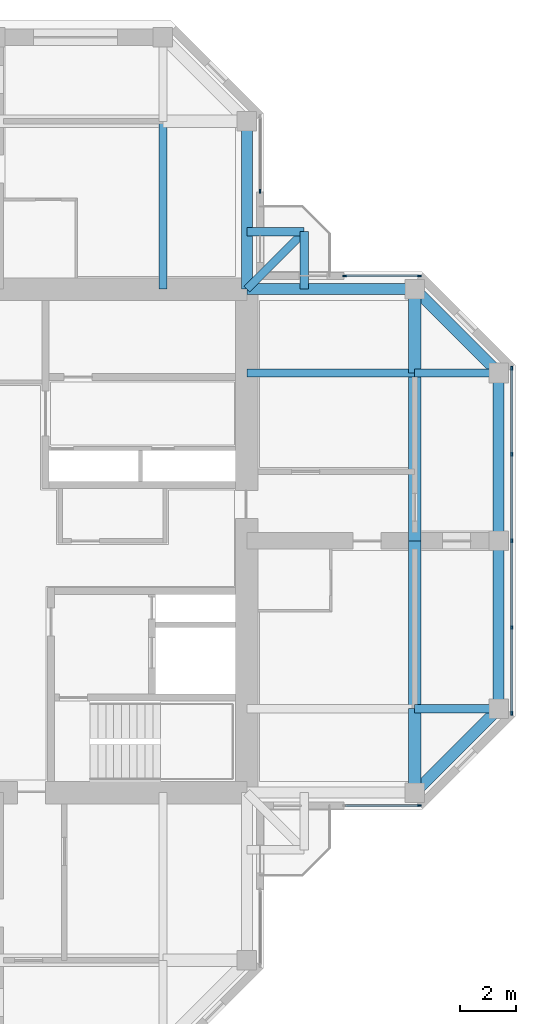
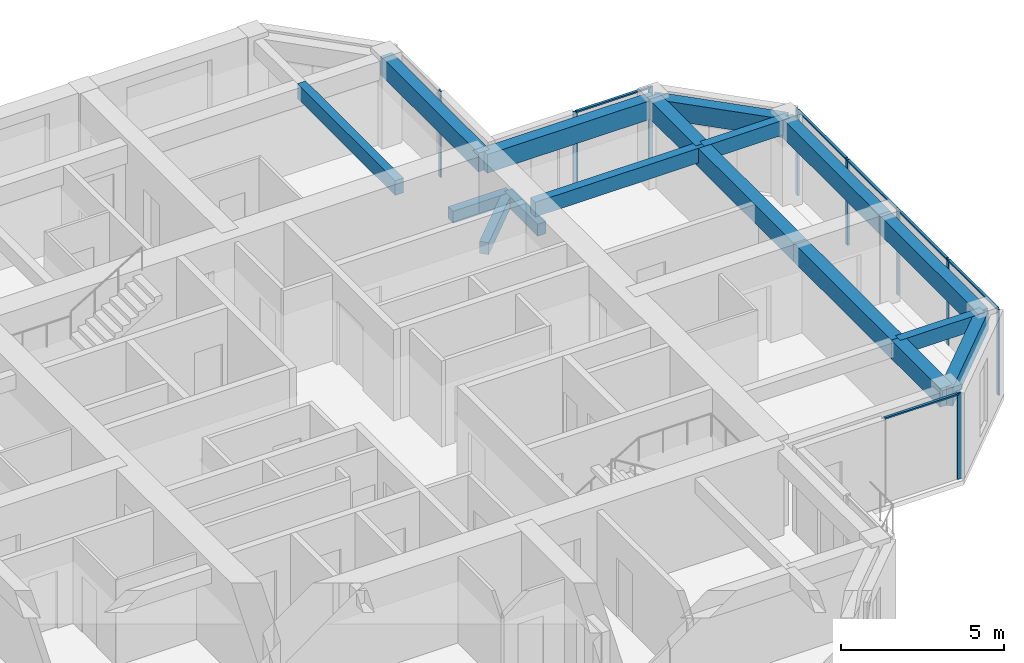
# One storey, part 5 of 13: 17 beams, 15 members, 4 elements without a shape of their own.
"""IFC4 building model written with IfcOpenShell, lengths in metres."""

from ifc_helpers import new_model, si_unit, direction, frame, origin, origin_2d, place, context, subcontext, project, spatial, rectangle, extrude, material, material_profile, profile_set, type_object, element, aggregate, save


model = new_model("IFC4")

# Units and contexts
model_context = context("Model", 3, precision=1e-05, world=origin(), true_north=direction((0.0, 1.0)))
body_context = subcontext(model_context, "Body", "Model", "MODEL_VIEW")
ifc_project = project(units=[si_unit("LENGTHUNIT", "METRE"), si_unit("AREAUNIT", "SQUARE_METRE"), si_unit("VOLUMEUNIT", "CUBIC_METRE"), si_unit("PLANEANGLEUNIT", "RADIAN"), si_unit("MASSUNIT", "GRAM", prefix="KILO")], contexts=[model_context])

# Site, building, storey
site_placement = place(None, origin())
site = spatial("IfcSite", under=ifc_project, at=site_placement, CompositionType="ELEMENT")
building_placement = place(site_placement, origin())
building = spatial("IfcBuilding", under=site, at=building_placement, Name="Torre Cruceta", CompositionType="ELEMENT")
storey_placement = place(building_placement, frame((0.0, 0.0, 274.699951171875)))
storey = spatial("IfcBuildingStorey", under=building, at=storey_placement, Name="L71", CompositionType="ELEMENT", Elevation=274.699951171875)

# Beams
ifc_material_1 = material(Name="Concrete G60 (fck 60 MPa)", Category="concrete")
ifc_material_profile_1 = material_profile(ifc_material_1, rectangle(XDim=0.300048828125, YDim=0.449951171875, at=origin_2d()), Name="RC 300X450")
ifc_profile_set_1 = profile_set([ifc_material_profile_1], Name="Concrete G60 (fck 60 MPa)")
beam_type_1 = type_object("IfcBeamType", Name="BALCONY CANTILEVER BEAM RC 300X450", PredefinedType="BEAM", material=ifc_profile_set_1)
beam_1_placement = place(storey_placement, frame((9.0, 9.0, -0.405029296875), z_axis=(0.707106781187, 0.707106781187, 0.0), x_axis=(-0.707106781187, 0.707106781187, 0.0)))
element("IfcBeam", 1, at=beam_1_placement, inside=storey, type_object=beam_type_1, Name="BB1 balcony beam L71 E", PredefinedType="BEAM", context=body_context, shape_type="SweptSolid", body=[
    extrude(rectangle(XDim=0.300048828125, YDim=0.449951171875, at=origin_2d()), origin(), (0.0, 0.0, 1.0), 2.89990234375),
])
for number, where, z_axis, x_axis, name in (
    (2, (11.050537109375, 9.0, -0.405029296875), (0.0, 1.0, 0.0), (-1.0, 0.0, 0.0), "BB1 balcony edge beam L71 E-X"),
    (3, (9.0, 11.050537109375, -0.405029296875), (1.0, 0.0, 0.0), (0.0, 1.0, 0.0), "BB1 balcony edge beam L71 E-Y"),
):
    element("IfcBeam", number, at=place(storey_placement, frame(where, z_axis=z_axis, x_axis=x_axis)), inside=storey, type_object=beam_type_1, Name=name, PredefinedType="BEAM", context=body_context, shape_type="SweptSolid", body=[
        extrude(rectangle(XDim=0.300048828125, YDim=0.449951171875, at=origin_2d()), origin(), (0.0, 0.0, 1.0), 2.050537109375),
    ])
ifc_material_2 = material(Name="Concrete G60 (fck 60 MPa)", Category="concrete")
ifc_material_profile_2 = material_profile(ifc_material_2, rectangle(XDim=0.300048828125, YDim=0.550048828125, at=origin_2d()), Name="RC 300X550")
ifc_profile_set_2 = profile_set([ifc_material_profile_2], Name="Concrete G60 (fck 60 MPa)")
beam_type_2 = type_object("IfcBeamType", Name="COLUMN LINE BEAM RC 300X550", PredefinedType="BEAM", material=ifc_profile_set_2)
beam_2_placement = place(storey_placement, frame((6.0, 9.0, 2.945068359375), z_axis=(0.0, 1.0, 0.0), x_axis=(-1.0, 0.0, 0.0)))
element("IfcBeam", 4, at=beam_2_placement, inside=storey, type_object=beam_type_2, Name="LB10 L71 N col- 1", PredefinedType="BEAM", context=body_context, shape_type="SweptSolid", body=[
    extrude(rectangle(XDim=0.300048828125, YDim=0.550048828125, at=origin_2d()), origin(), (0.0, 0.0, 1.0), 6.0),
])
beam_3_placement = place(storey_placement, frame((15.0, -6.0, 2.945068359375), z_axis=(1.0, 0.0, 0.0), x_axis=(0.0, 1.0, 0.0)))
element("IfcBeam", 5, at=beam_3_placement, inside=storey, type_object=beam_type_2, Name="LB10 L71 E col- 2", PredefinedType="BEAM", context=body_context, shape_type="SweptSolid", body=[
    extrude(rectangle(XDim=0.300048828125, YDim=0.550048828125, at=origin_2d()), origin(), (0.0, 0.0, 1.0), 3.0),
])
beam_4_placement = place(storey_placement, frame((9.0, 6.0, 2.945068359375), z_axis=(1.0, 0.0, 0.0), x_axis=(0.0, 1.0, 0.0)))
element("IfcBeam", 6, at=beam_4_placement, inside=storey, type_object=beam_type_2, Name="LB10 L71 E col+ 1", PredefinedType="BEAM", context=body_context, shape_type="SweptSolid", body=[
    extrude(rectangle(XDim=0.300048828125, YDim=0.550048828125, at=origin_2d()), origin(), (0.0, 0.0, 1.0), 6.0),
])
beam_5_placement = place(storey_placement, frame((15.0, 6.0, 2.945068359375), z_axis=(1.0, 0.0, 0.0), x_axis=(0.0, 1.0, 0.0)))
element("IfcBeam", 7, at=beam_5_placement, inside=storey, type_object=beam_type_2, Name="LB10 L71 E col+ 2", PredefinedType="BEAM", context=body_context, shape_type="SweptSolid", body=[
    extrude(rectangle(XDim=0.300048828125, YDim=0.550048828125, at=origin_2d()), origin(), (0.0, 0.0, 1.0), 3.0),
])
ifc_material_3 = material(Name="Concrete G60 (fck 60 MPa)", Category="concrete")
ifc_material_profile_3 = material_profile(ifc_material_3, rectangle(XDim=0.449951171875, YDim=0.699951171875, at=origin_2d()), Name="RC 450X700")
ifc_profile_set_3 = profile_set([ifc_material_profile_3], Name="Concrete G60 (fck 60 MPa)")
beam_type_3 = type_object("IfcBeamType", Name="CROSS BEAM RC 450X700", PredefinedType="BEAM", material=ifc_profile_set_3)
beam_6_placement = place(storey_placement, frame((15.0, -9.0, 2.8701171875), z_axis=(0.0, 1.0, 0.0), x_axis=(-1.0, 0.0, 0.0)))
element("IfcBeam", 8, at=beam_6_placement, inside=storey, type_object=beam_type_3, Name="GB8 L71 E cross15 1", PredefinedType="BEAM", context=body_context, shape_type="SweptSolid", body=[
    extrude(rectangle(XDim=0.449951171875, YDim=0.699951171875, at=origin_2d()), origin(), (0.0, 0.0, 1.0), 3.0),
])
for number, where, z_axis, x_axis, name in (
    (9, (15.0, -6.0, 2.8701171875), (0.0, 1.0, 0.0), (-1.0, 0.0, 0.0), "GB8 L71 E cross15 2"),
    (10, (15.0, 0.0, 2.8701171875), (0.0, 1.0, 0.0), (-1.0, 0.0, 0.0), "GB8 L71 E cross15 3"),
):
    element("IfcBeam", number, at=place(storey_placement, frame(where, z_axis=z_axis, x_axis=x_axis)), inside=storey, type_object=beam_type_3, Name=name, PredefinedType="BEAM", context=body_context, shape_type="SweptSolid", body=[
        extrude(rectangle(XDim=0.449951171875, YDim=0.699951171875, at=origin_2d()), origin(), (0.0, 0.0, 1.0), 6.0),
    ])
beam_7_placement = place(storey_placement, frame((15.0, 6.0, 2.8701171875), z_axis=(0.0, 1.0, 0.0), x_axis=(-1.0, 0.0, 0.0)))
element("IfcBeam", 11, at=beam_7_placement, inside=storey, type_object=beam_type_3, Name="GB8 L71 E cross15 4", PredefinedType="BEAM", context=body_context, shape_type="SweptSolid", body=[
    extrude(rectangle(XDim=0.449951171875, YDim=0.699951171875, at=origin_2d()), origin(), (0.0, 0.0, 1.0), 3.0),
])

# Curtain wall, member
ifc_material_4 = material(Name="Aluminium unitised curtain wall", Category="aluminium")
curtain_wall_type = type_object("IfcCurtainWallType", Name="CURTAIN WALL CW-E CO-LIVING TOP", PredefinedType="USERDEFINED", material=ifc_material_4)
curtain_wall_1_placement = place(storey_placement, origin())
curtain_wall_1 = element("IfcCurtainWall", 12, at=curtain_wall_1_placement, inside=storey, type_object=curtain_wall_type, Name="CW-E L71 E side 00", ObjectType="UNITISED", PredefinedType="USERDEFINED")
ifc_material_5 = material(Name="Aluminium mullion", Category="aluminium")
ifc_material_profile_4 = material_profile(ifc_material_5, rectangle(XDim=0.054931640625, YDim=0.139892578125, at=origin_2d()), Name="AL 55X140")
ifc_profile_set_4 = profile_set([ifc_material_profile_4], Name="Aluminium mullion")
member_type_1 = type_object("IfcMemberType", Name="CW-E MULLION 55X140", PredefinedType="MULLION", material=ifc_profile_set_4)
member_1_placement = place(storey_placement, frame((15.167236328125, -9.469970703125, 0.0), z_axis=(0.0, 0.0, 1.0), x_axis=(0.0, 1.0, 0.0)))
member_1 = element("IfcMember", 13, at=member_1_placement, type_object=member_type_1, Name="CW-E mullion 2", PredefinedType="MULLION", context=body_context, shape_type="SweptSolid", body=[
    extrude(rectangle(XDim=0.054931640625, YDim=0.139892578125, at=origin_2d()), origin(), (0.0, 0.0, 1.0), 3.219970703125),
])

# Curtain wall, members
curtain_wall_2_placement = place(storey_placement, origin())
curtain_wall_2 = element("IfcCurtainWall", 14, at=curtain_wall_2_placement, inside=storey, type_object=curtain_wall_type, Name="CW-E L71 E tip 02", ObjectType="UNITISED", PredefinedType="USERDEFINED")
member_2_placement = place(storey_placement, frame((18.469970703125, -6.167236328125, 0.0), z_axis=(0.0, 0.0, 1.0), x_axis=(-1.0, 0.0, 0.0)))
member_2 = element("IfcMember", 15, at=member_2_placement, type_object=member_type_1, Name="CW-E mullion 1", PredefinedType="MULLION", context=body_context, shape_type="SweptSolid", body=[
    extrude(rectangle(XDim=0.054931640625, YDim=0.139892578125, at=origin_2d()), origin(), (0.0, 0.0, 1.0), 3.219970703125),
])
member_3_placement = place(storey_placement, frame((18.469970703125, -3.097412109375, 0.0), z_axis=(0.0, 0.0, 1.0), x_axis=(-1.0, 0.0, 0.0)))
member_3 = element("IfcMember", 16, at=member_3_placement, type_object=member_type_1, Name="CW-E mullion 2", PredefinedType="MULLION", context=body_context, shape_type="SweptSolid", body=[
    extrude(rectangle(XDim=0.054931640625, YDim=0.139892578125, at=origin_2d()), origin(), (0.0, 0.0, 1.0), 3.219970703125),
])
member_4_placement = place(storey_placement, frame((18.469970703125, 0.0, 0.0), z_axis=(0.0, 0.0, 1.0), x_axis=(-1.0, 0.0, 0.0)))
member_4 = element("IfcMember", 17, at=member_4_placement, type_object=member_type_1, Name="CW-E mullion 3", PredefinedType="MULLION", context=body_context, shape_type="SweptSolid", body=[
    extrude(rectangle(XDim=0.054931640625, YDim=0.139892578125, at=origin_2d()), origin(), (0.0, 0.0, 1.0), 3.219970703125),
])
member_5_placement = place(storey_placement, frame((18.469970703125, 3.097412109375, 0.0), z_axis=(0.0, 0.0, 1.0), x_axis=(-1.0, 0.0, 0.0)))
member_5 = element("IfcMember", 18, at=member_5_placement, type_object=member_type_1, Name="CW-E mullion 4", PredefinedType="MULLION", context=body_context, shape_type="SweptSolid", body=[
    extrude(rectangle(XDim=0.054931640625, YDim=0.139892578125, at=origin_2d()), origin(), (0.0, 0.0, 1.0), 3.219970703125),
])
member_6_placement = place(storey_placement, frame((18.469970703125, 6.167236328125, 0.0), z_axis=(0.0, 0.0, 1.0), x_axis=(-1.0, 0.0, 0.0)))
member_6 = element("IfcMember", 19, at=member_6_placement, type_object=member_type_1, Name="CW-E mullion 5", PredefinedType="MULLION", context=body_context, shape_type="SweptSolid", body=[
    extrude(rectangle(XDim=0.054931640625, YDim=0.139892578125, at=origin_2d()), origin(), (0.0, 0.0, 1.0), 3.219970703125),
])

curtain_wall_3_placement = place(storey_placement, origin())
curtain_wall_3 = element("IfcCurtainWall", 20, at=curtain_wall_3_placement, inside=storey, type_object=curtain_wall_type, Name="CW-E L71 E side 04", ObjectType="UNITISED", PredefinedType="USERDEFINED")
member_7_placement = place(storey_placement, frame((15.167236328125, 9.469970703125, 0.0), z_axis=(0.0, 0.0, 1.0), x_axis=(0.0, -1.0, 0.0)))
member_7 = element("IfcMember", 21, at=member_7_placement, type_object=member_type_1, Name="CW-E mullion 1", PredefinedType="MULLION", context=body_context, shape_type="SweptSolid", body=[
    extrude(rectangle(XDim=0.054931640625, YDim=0.139892578125, at=origin_2d()), origin(), (0.0, 0.0, 1.0), 3.219970703125),
])
member_8_placement = place(storey_placement, frame((12.49755859375, 9.469970703125, 0.0), z_axis=(0.0, 0.0, 1.0), x_axis=(0.0, -1.0, 0.0)))
member_8 = element("IfcMember", 22, at=member_8_placement, type_object=member_type_1, Name="CW-E mullion 2", PredefinedType="MULLION", context=body_context, shape_type="SweptSolid", body=[
    extrude(rectangle(XDim=0.054931640625, YDim=0.139892578125, at=origin_2d()), origin(), (0.0, 0.0, 1.0), 3.219970703125),
])

# Curtain wall, member
curtain_wall_4_placement = place(storey_placement, origin())
curtain_wall_4 = element("IfcCurtainWall", 23, at=curtain_wall_4_placement, inside=storey, type_object=curtain_wall_type, Name="CW-E L71 N side 05", ObjectType="UNITISED", PredefinedType="USERDEFINED")
member_9_placement = place(storey_placement, frame((9.469970703125, 12.49755859375, 0.0), z_axis=(0.0, 0.0, 1.0), x_axis=(-1.0, 0.0, 0.0)))
member_9 = element("IfcMember", 24, at=member_9_placement, type_object=member_type_1, Name="CW-E mullion 1", PredefinedType="MULLION", context=body_context, shape_type="SweptSolid", body=[
    extrude(rectangle(XDim=0.054931640625, YDim=0.139892578125, at=origin_2d()), origin(), (0.0, 0.0, 1.0), 3.219970703125),
])
aggregate(curtain_wall_4, [member_9])

# Member
ifc_material_6 = material(Name="Aluminium transom", Category="aluminium")
ifc_material_profile_5 = material_profile(ifc_material_6, rectangle(XDim=0.090087890625, YDim=0.054931640625, at=origin_2d()), Name="AL 90X55")
ifc_profile_set_5 = profile_set([ifc_material_profile_5], Name="Aluminium transom")
member_type_2 = type_object("IfcMemberType", Name="CW-E TRANSOM 55X90", PredefinedType="USERDEFINED", material=ifc_profile_set_5)
member_10_placement = place(storey_placement, frame((12.52490234375, -9.469970703125, 3.192626953125), z_axis=(1.0, 0.0, 0.0), x_axis=(0.0, 1.0, 0.0)))
member_10 = element("IfcMember", 25, at=member_10_placement, type_object=member_type_2, Name="CW-E transom 1", ObjectType="TRANSOM", PredefinedType="USERDEFINED", context=body_context, shape_type="SweptSolid", body=[
    extrude(rectangle(XDim=0.090087890625, YDim=0.054931640625, at=origin_2d()), origin(), (0.0, 0.0, 1.0), 2.61474609375),
])

aggregate(curtain_wall_1, [member_1, member_10])

member_11_placement = place(storey_placement, frame((18.469970703125, -6.1396484375, 3.192626953125), z_axis=(0.0, 1.0, 0.0), x_axis=(-1.0, 0.0, 0.0)))
member_11 = element("IfcMember", 26, at=member_11_placement, type_object=member_type_2, Name="CW-E transom 1", ObjectType="TRANSOM", PredefinedType="USERDEFINED", context=body_context, shape_type="SweptSolid", body=[
    extrude(rectangle(XDim=0.090087890625, YDim=0.054931640625, at=origin_2d()), origin(), (0.0, 0.0, 1.0), 3.014892578125),
])

member_12_placement = place(storey_placement, frame((18.469970703125, -3.06982421875, 3.192626953125), z_axis=(0.0, 1.0, 0.0), x_axis=(-1.0, 0.0, 0.0)))
member_12 = element("IfcMember", 27, at=member_12_placement, type_object=member_type_2, Name="CW-E transom 2", ObjectType="TRANSOM", PredefinedType="USERDEFINED", context=body_context, shape_type="SweptSolid", body=[
    extrude(rectangle(XDim=0.090087890625, YDim=0.054931640625, at=origin_2d()), origin(), (0.0, 0.0, 1.0), 3.042236328125),
])

member_13_placement = place(storey_placement, frame((18.469970703125, 0.027587890625, 3.192626953125), z_axis=(0.0, 1.0, 0.0), x_axis=(-1.0, 0.0, 0.0)))
member_13 = element("IfcMember", 28, at=member_13_placement, type_object=member_type_2, Name="CW-E transom 3", ObjectType="TRANSOM", PredefinedType="USERDEFINED", context=body_context, shape_type="SweptSolid", body=[
    extrude(rectangle(XDim=0.090087890625, YDim=0.054931640625, at=origin_2d()), origin(), (0.0, 0.0, 1.0), 3.042236328125),
])

member_14_placement = place(storey_placement, frame((18.469970703125, 3.124755859375, 3.192626953125), z_axis=(0.0, 1.0, 0.0), x_axis=(-1.0, 0.0, 0.0)))
member_14 = element("IfcMember", 29, at=member_14_placement, type_object=member_type_2, Name="CW-E transom 4", ObjectType="TRANSOM", PredefinedType="USERDEFINED", context=body_context, shape_type="SweptSolid", body=[
    extrude(rectangle(XDim=0.090087890625, YDim=0.054931640625, at=origin_2d()), origin(), (0.0, 0.0, 1.0), 3.014892578125),
])

aggregate(curtain_wall_2, [member_2, member_3, member_4, member_5, member_6, member_11, member_12, member_13, member_14])

member_15_placement = place(storey_placement, frame((15.1396484375, 9.469970703125, 3.192626953125), z_axis=(-1.0, 0.0, 0.0), x_axis=(0.0, -1.0, 0.0)))
member_15 = element("IfcMember", 30, at=member_15_placement, type_object=member_type_2, Name="CW-E transom 1", ObjectType="TRANSOM", PredefinedType="USERDEFINED", context=body_context, shape_type="SweptSolid", body=[
    extrude(rectangle(XDim=0.090087890625, YDim=0.054931640625, at=origin_2d()), origin(), (0.0, 0.0, 1.0), 2.61474609375),
])

aggregate(curtain_wall_3, [member_7, member_8, member_15])

# Beams
ifc_material_7 = material(Name="Concrete G60 (fck 60 MPa)", Category="concrete")
ifc_material_profile_6 = material_profile(ifc_material_7, rectangle(XDim=0.39990234375, YDim=0.699951171875, at=origin_2d()), Name="RC 400X700")
ifc_profile_set_6 = profile_set([ifc_material_profile_6], Name="Concrete G60 (fck 60 MPa)")
beam_type_4 = type_object("IfcBeamType", Name="SPANDREL BEAM RC 400X700", PredefinedType="SPANDREL", material=ifc_profile_set_6)
beam_8_placement = place(storey_placement, frame((9.0, 9.0, 2.8701171875), z_axis=(0.0, 1.0, 0.0), x_axis=(-1.0, 0.0, 0.0)))
element("IfcBeam", 31, at=beam_8_placement, inside=storey, type_object=beam_type_4, Name="SB8 L71 N side- 1", PredefinedType="SPANDREL", context=body_context, shape_type="SweptSolid", body=[
    extrude(rectangle(XDim=0.39990234375, YDim=0.699951171875, at=origin_2d()), origin(), (0.0, 0.0, 1.0), 6.0),
])
beam_9_placement = place(storey_placement, frame((15.0, -9.0, 2.8701171875), z_axis=(0.707106781187, 0.707106781187, 0.0), x_axis=(-0.707106781187, 0.707106781187, 0.0)))
element("IfcBeam", 32, at=beam_9_placement, inside=storey, type_object=beam_type_4, Name="SB8 L71 E side- 2", PredefinedType="SPANDREL", context=body_context, shape_type="SweptSolid", body=[
    extrude(rectangle(XDim=0.39990234375, YDim=0.699951171875, at=origin_2d()), origin(), (0.0, 0.0, 1.0), 4.24267578125),
])
beam_10_placement = place(storey_placement, frame((9.0, 9.0, 2.8701171875), z_axis=(1.0, 0.0, 0.0), x_axis=(0.0, 1.0, 0.0)))
element("IfcBeam", 33, at=beam_10_placement, inside=storey, type_object=beam_type_4, Name="SB8 L71 E side+ 1", PredefinedType="SPANDREL", context=body_context, shape_type="SweptSolid", body=[
    extrude(rectangle(XDim=0.39990234375, YDim=0.699951171875, at=origin_2d()), origin(), (0.0, 0.0, 1.0), 6.0),
])
beam_11_placement = place(storey_placement, frame((15.0, 9.0, 2.8701171875), z_axis=(0.707106781187, -0.707106781187, 0.0), x_axis=(0.707106781187, 0.707106781187, 0.0)))
element("IfcBeam", 34, at=beam_11_placement, inside=storey, type_object=beam_type_4, Name="SB8 L71 E side+ 2", PredefinedType="SPANDREL", context=body_context, shape_type="SweptSolid", body=[
    extrude(rectangle(XDim=0.39990234375, YDim=0.699951171875, at=origin_2d()), origin(), (0.0, 0.0, 1.0), 4.24267578125),
])
for number, where, z_axis, x_axis, name in (
    (35, (18.0, -6.0, 2.8701171875), (0.0, 1.0, 0.0), (-1.0, 0.0, 0.0), "SB8 L71 E tip 1"),
    (36, (18.0, 0.0, 2.8701171875), (0.0, 1.0, 0.0), (-1.0, 0.0, 0.0), "SB8 L71 E tip 2"),
):
    element("IfcBeam", number, at=place(storey_placement, frame(where, z_axis=z_axis, x_axis=x_axis)), inside=storey, type_object=beam_type_4, Name=name, PredefinedType="SPANDREL", context=body_context, shape_type="SweptSolid", body=[
        extrude(rectangle(XDim=0.39990234375, YDim=0.699951171875, at=origin_2d()), origin(), (0.0, 0.0, 1.0), 6.0),
    ])

save(model, "model.ifc")
